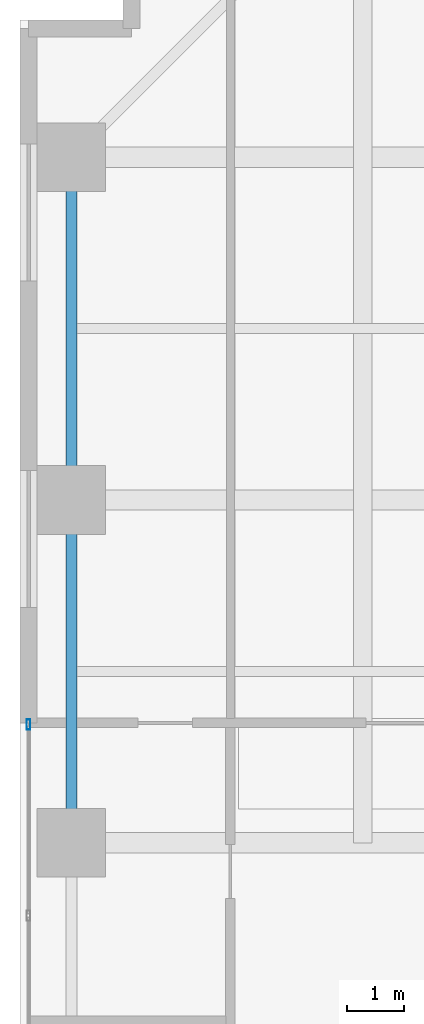
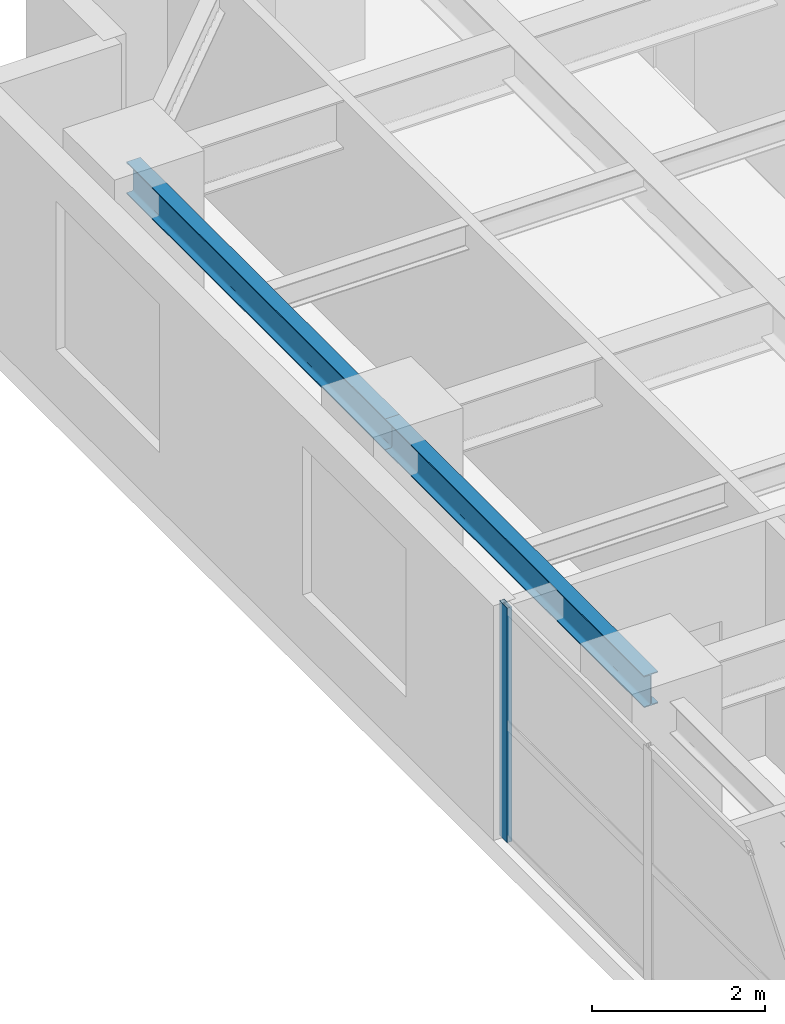
# One storey, part 7 of 19: 2 beams, 1 member, 1 element without a shape of its own.
"""IFC4 building model written with IfcOpenShell, lengths in metres."""

from ifc_helpers import new_model, si_unit, direction, frame, origin, origin_2d, place, context, subcontext, project, spatial, hollow_rectangle, i_section, extrude, source, transform, mapped, material, layer, layer_set, material_profile, profile_set, type_object, element, aggregate, save


model = new_model("IFC4")

# Units and contexts
model_context = context("Model", 3, precision=1e-05, world=origin(), true_north=direction((0.0, 1.0)))
body_context = subcontext(model_context, "Body", "Model", "MODEL_VIEW")
ifc_project = project(units=[si_unit("LENGTHUNIT", "METRE"), si_unit("AREAUNIT", "SQUARE_METRE"), si_unit("VOLUMEUNIT", "CUBIC_METRE"), si_unit("PLANEANGLEUNIT", "RADIAN"), si_unit("MASSUNIT", "GRAM", prefix="KILO")], contexts=[model_context])

# Site, building, storey
site_placement = place(None, origin())
site = spatial("IfcSite", under=ifc_project, at=site_placement, CompositionType="ELEMENT")
building_placement = place(site_placement, origin())
building = spatial("IfcBuilding", under=site, at=building_placement, Name="Khoralis Quay Care Tower", CompositionType="ELEMENT")
storey_placement = place(building_placement, frame((0.0, 0.0, 69.300048828125)))
storey = spatial("IfcBuildingStorey", under=building, at=storey_placement, Name="L18", CompositionType="ELEMENT", Elevation=69.300048828125)

# Beams
ifc_material_1 = material(Name="Steel S355", Category="steel")
ifc_material_profile_1 = material_profile(ifc_material_1, i_section(OverallWidth=0.18994140625, OverallDepth=0.449951171875, WebThickness=0.009521484375, FlangeThickness=0.0146484375, FilletRadius=0.02099609375, at=origin_2d()), Name="Steel S355")
ifc_profile_set_1 = profile_set([ifc_material_profile_1], Name="Steel S355")
beam_type = type_object("IfcBeamType", Name="BM-IPE450", PredefinedType="SPANDREL", material=ifc_profile_set_1)
shared_shape_1 = source(origin(), body_context, "Body", "SweptSolid", [
    extrude(i_section(OverallWidth=0.18994140625, OverallDepth=0.449951171875, WebThickness=0.009521484375, FlangeThickness=0.0146484375, FilletRadius=0.02099609375, at=origin_2d()), origin(), (0.0, 0.0, 1.0), 6.0),
])
for number, where, z_axis, x_axis, name in (
    (1, (0.89990234375, 30.0, 3.094970703125), (0.0, 1.0, 0.0), (-1.0, 0.0, 0.0), "BM-TSP-L18-17"),
    (2, (0.89990234375, 36.0, 3.094970703125), (0.0, 1.0, 0.0), (-1.0, 0.0, 0.0), "BM-TSP-L18-18"),
):
    element("IfcBeam", number, at=place(storey_placement, frame(where, z_axis=z_axis, x_axis=x_axis)), inside=storey, type_object=beam_type, Name=name, PredefinedType="SPANDREL", context=body_context, shape_type="MappedRepresentation", body=[
        mapped(shared_shape_1, transform((0.0, 0.0, 0.0), scale=1.0)),
    ])

# Curtain wall, member
ifc_material_2 = material(Name="Pale anodised aluminium", Category="aluminium")
ifc_layer = layer(ifc_material_2, 0.179931640625)
ifc_layer_set = layer_set([ifc_layer], Name="Pale anodised aluminium")
curtain_wall_type = type_object("IfcCurtainWallType", Name="CW-SYS-Z1", PredefinedType="NOTDEFINED", material=ifc_layer_set)
curtain_wall_placement = place(storey_placement, origin())
curtain_wall = element("IfcCurtainWall", 3, at=curtain_wall_placement, inside=storey, type_object=curtain_wall_type, Name="L18 Unitised Curtain Wall CW-L18-P1-E15", PredefinedType="NOTDEFINED")
ifc_material_profile_2 = material_profile(ifc_material_2, hollow_rectangle(XDim=0.06494140625, YDim=0.179931640625, WallThickness=0.00390625, at=origin_2d()), Name="Pale anodised aluminium")
ifc_profile_set_2 = profile_set([ifc_material_profile_2], Name="Pale anodised aluminium")
member_type = type_object("IfcMemberType", Name="CW-MUL-180", PredefinedType="MULLION", material=ifc_profile_set_2)
shared_shape_2 = source(origin(), body_context, "Body", "SweptSolid", [
    extrude(hollow_rectangle(XDim=0.06494140625, YDim=0.179931640625, WallThickness=0.00390625, at=origin_2d()), origin(), (0.0, 0.0, 1.0), 3.320068359375),
])
member_placement = place(storey_placement, frame((0.14990234375, 32.070068359375, 0.0), z_axis=(0.0, 0.0, 1.0), x_axis=(1.0, 0.0, 0.0)))
member = element("IfcMember", 4, at=member_placement, type_object=member_type, Name="CW1 mullion 1", PredefinedType="MULLION", context=body_context, shape_type="MappedRepresentation", body=[
    mapped(shared_shape_2, transform((0.0, 0.0, 0.0), scale=1.0)),
])
aggregate(curtain_wall, [member])

save(model, "model.ifc")
